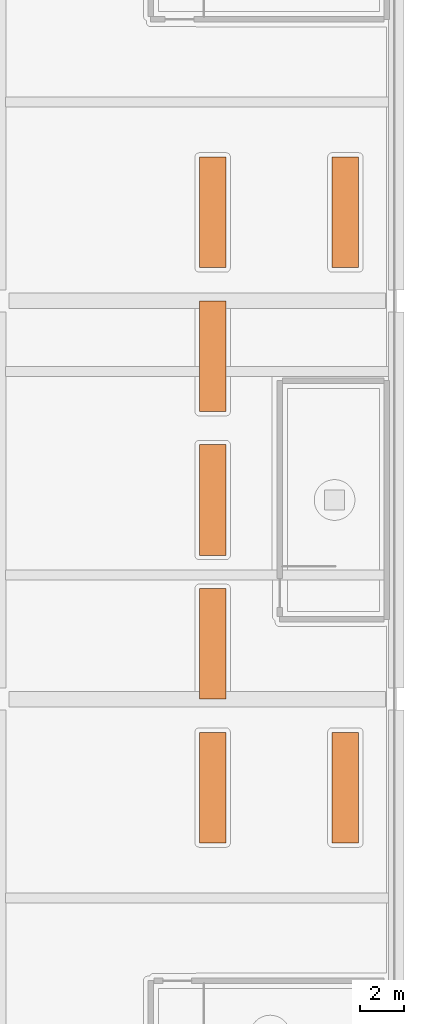
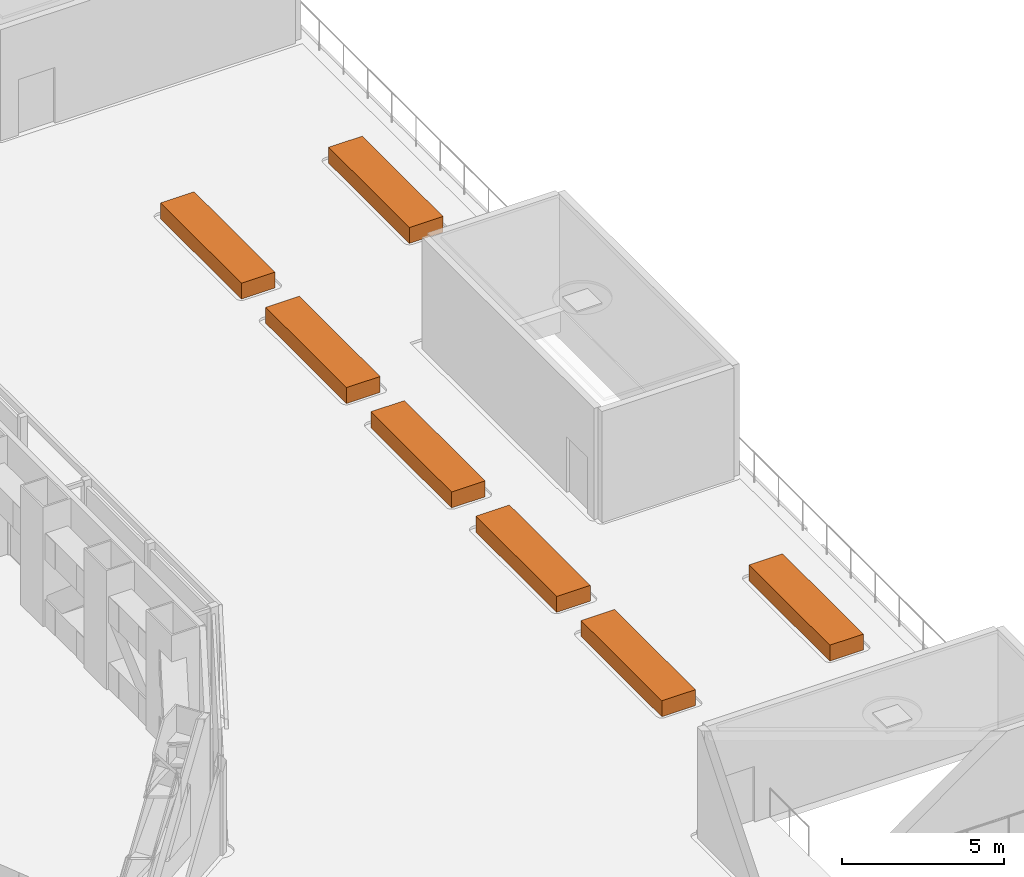
# One storey, part 20 of 20: 7 proxies.
"""IFC4 building model written with IfcOpenShell, lengths in metres."""

from ifc_helpers import new_model, si_unit, direction, frame, origin, origin_2d, place, context, subcontext, project, spatial, rectangle, extrude, material, type_object, element, save


model = new_model("IFC4")

# Units and contexts
model_context = context("Model", 3, precision=1e-05, world=origin(), true_north=direction((0.0, 1.0)))
body_context = subcontext(model_context, "Body", "Model", "MODEL_VIEW")
ifc_project = project(units=[si_unit("LENGTHUNIT", "METRE"), si_unit("AREAUNIT", "SQUARE_METRE"), si_unit("VOLUMEUNIT", "CUBIC_METRE"), si_unit("PLANEANGLEUNIT", "RADIAN"), si_unit("MASSUNIT", "GRAM", prefix="KILO")], contexts=[model_context])

# Site, building, storey
site_placement = place(None, origin())
site = spatial("IfcSite", under=ifc_project, at=site_placement, CompositionType="ELEMENT")
building_placement = place(site_placement, origin())
building = spatial("IfcBuilding", under=site, at=building_placement, Name="Vanh Sen Convention Tower", CompositionType="ELEMENT")
storey_placement = place(building_placement, frame((0.0, 0.0, 34.5)))
storey = spatial("IfcBuildingStorey", under=building, at=storey_placement, Name="L05", CompositionType="ELEMENT", Elevation=34.5)

# Proxies
ifc_material = material(Name="Planting bed (soil and planting)")
building_element_proxy_type = type_object("IfcBuildingElementProxyType", Name="Planting bed", PredefinedType="USERDEFINED", material=ifc_material)
for number, where, z_axis, x_axis, name in (
    (1, (42.699951171875, -13.0, 0.0), (0.0, 0.0, 1.0), (1.0, 0.0, 0.0), "Roof terrace PLANTER P01 L05"),
    (2, (42.699951171875, 13.0, 0.0), (0.0, 0.0, 1.0), (1.0, 0.0, 0.0), "Roof terrace PLANTER P02 L05"),
    (3, (36.699951171875, -13.0, 0.0), (0.0, 0.0, 1.0), (1.0, 0.0, 0.0), "Roof terrace PLANTER P03 L05"),
    (4, (36.699951171875, -6.5, 0.0), (0.0, 0.0, 1.0), (1.0, 0.0, 0.0), "Roof terrace PLANTER P04 L05"),
    (5, (36.699951171875, 0.0, 0.0), (0.0, 0.0, 1.0), (1.0, 0.0, 0.0), "Roof terrace PLANTER P05 L05"),
    (6, (36.699951171875, 6.5, 0.0), (0.0, 0.0, 1.0), (1.0, 0.0, 0.0), "Roof terrace PLANTER P06 L05"),
    (7, (36.699951171875, 13.0, 0.0), (0.0, 0.0, 1.0), (1.0, 0.0, 0.0), "Roof terrace PLANTER P07 L05"),
):
    element("IfcBuildingElementProxy", number, at=place(storey_placement, frame(where, z_axis=z_axis, x_axis=x_axis)), inside=storey, type_object=building_element_proxy_type, Name=name, ObjectType="PLANTER", PredefinedType="USERDEFINED", context=body_context, shape_type="SweptSolid", body=[
        extrude(rectangle(XDim=1.199951171875, YDim=5.0, at=origin_2d()), origin(), (0.0, 0.0, 1.0), 0.60009765625),
    ])

save(model, "model.ifc")
